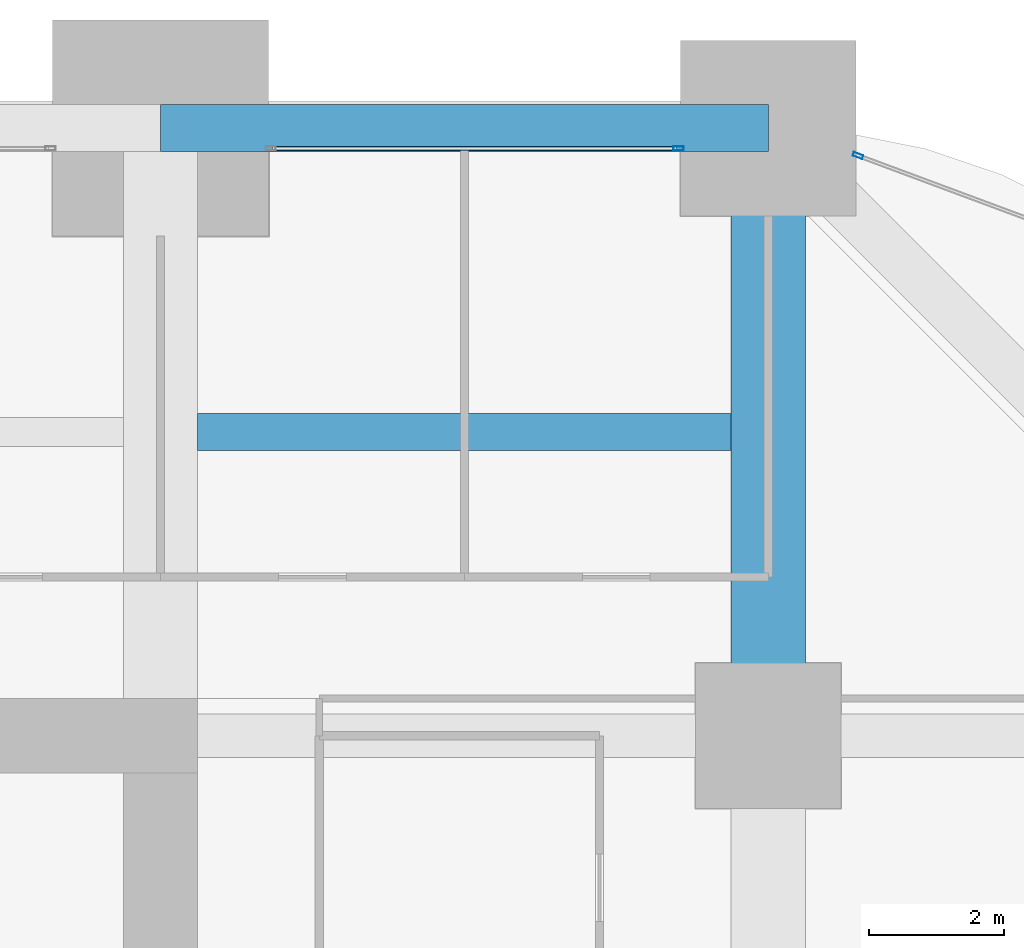
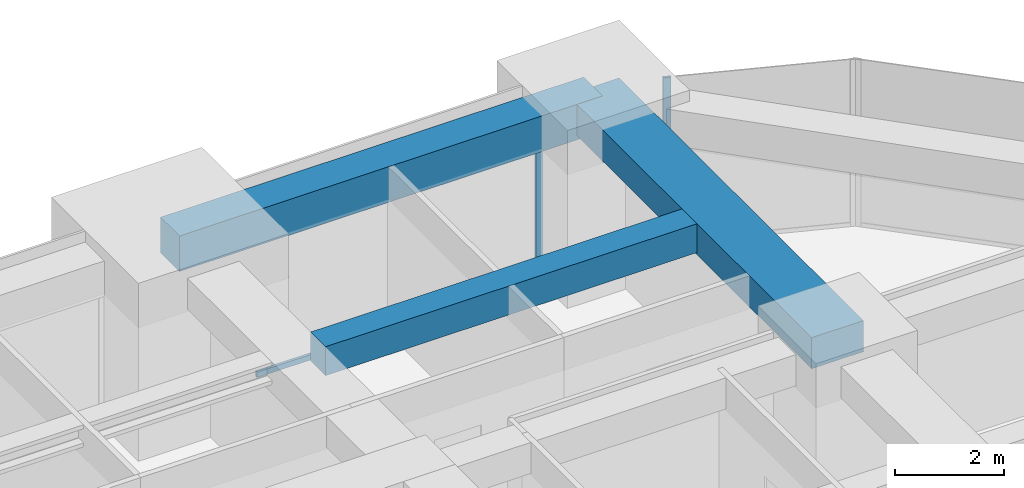
# One storey, part 34 of 41: 3 beams, 3 members, 2 elements without a shape of their own.
"""IFC4 building model written with IfcOpenShell, lengths in metres."""

from ifc_helpers import new_model, si_unit, direction, frame, origin, origin_2d, place, context, subcontext, project, spatial, rectangle, hollow_rectangle, extrude, material, material_profile, profile_set, type_object, element, aggregate, save


model = new_model("IFC4")

# Units and contexts
model_context = context("Model", 3, precision=1e-05, world=origin(), true_north=direction((0.0, 1.0)))
body_context = subcontext(model_context, "Body", "Model", "MODEL_VIEW")
ifc_project = project(units=[si_unit("LENGTHUNIT", "METRE"), si_unit("AREAUNIT", "SQUARE_METRE"), si_unit("VOLUMEUNIT", "CUBIC_METRE"), si_unit("PLANEANGLEUNIT", "RADIAN"), si_unit("MASSUNIT", "GRAM", prefix="KILO")], contexts=[model_context])

# Site, building, storey
site_placement = place(None, origin())
site = spatial("IfcSite", under=ifc_project, at=site_placement, CompositionType="ELEMENT")
building_placement = place(site_placement, origin())
building = spatial("IfcBuilding", under=site, at=building_placement, Name="Zorevar Civic Tower", CompositionType="ELEMENT")
storey_placement = place(building_placement, frame((0.0, 0.0, 89.0)))
storey = spatial("IfcBuildingStorey", under=building, at=storey_placement, Name="L21", CompositionType="ELEMENT", Elevation=89.0)

# Beams
ifc_material_1 = material(Name="Concrete C50/60", Category="concrete")
ifc_material_profile_1 = material_profile(ifc_material_1, rectangle(XDim=1.10009765625, YDim=0.699951171875, at=origin_2d()), Name="RC 1100x700")
ifc_profile_set_1 = profile_set([ifc_material_profile_1], Name="Concrete C50/60")
beam_type_1 = type_object("IfcBeamType", Name="Beam RC 1100x700", PredefinedType="BEAM", material=ifc_profile_set_1)
beam_1_placement = place(storey_placement, frame((54.0, 36.0, 3.39990234375), z_axis=(0.0, 1.0, 0.0), x_axis=(-1.0, 0.0, 0.0)))
element("IfcBeam", 1, at=beam_1_placement, inside=storey, type_object=beam_type_1, Name="Girder L22", PredefinedType="BEAM", context=body_context, shape_type="SweptSolid", body=[
    extrude(rectangle(XDim=1.10009765625, YDim=0.699951171875, at=origin_2d()), origin(), (0.0, 0.0, 1.0), 9.0),
])
ifc_material_2 = material(Name="Concrete C50/60", Category="concrete")
ifc_material_profile_2 = material_profile(ifc_material_2, rectangle(XDim=0.550048828125, YDim=0.64990234375, at=origin_2d()), Name="RC 550x650")
ifc_profile_set_2 = profile_set([ifc_material_profile_2], Name="Concrete C50/60")
beam_type_2 = type_object("IfcBeamType", Name="Beam RC 550x650", PredefinedType="BEAM", material=ifc_profile_set_2)
beam_2_placement = place(storey_placement, frame((45.550048828125, 40.5, 3.425048828125), z_axis=(1.0, 0.0, 0.0), x_axis=(0.0, 1.0, 0.0)))
element("IfcBeam", 2, at=beam_2_placement, inside=storey, type_object=beam_type_2, Name="Secondary beam L22", PredefinedType="BEAM", context=body_context, shape_type="SweptSolid", body=[
    extrude(rectangle(XDim=0.550048828125, YDim=0.64990234375, at=origin_2d()), origin(), (0.0, 0.0, 1.0), 7.89990234375),
])

# Curtain wall, member
ifc_material_3 = material(Name="Dark grey solar-control glass in black aluminium frame", Category="aluminium")
curtain_wall_type = type_object("IfcCurtainWallType", Name="Curtain wall CW3 mid zone", PredefinedType="NOTDEFINED", material=ifc_material_3)
curtain_wall_1_placement = place(storey_placement, origin())
curtain_wall_1 = element("IfcCurtainWall", 3, at=curtain_wall_1_placement, inside=storey, type_object=curtain_wall_type, Name="CW3 L21", PredefinedType="NOTDEFINED")
ifc_material_4 = material(Name="Aluminium, black anodised", Category="aluminium")
ifc_material_profile_3 = material_profile(ifc_material_4, hollow_rectangle(XDim=0.06005859375, YDim=0.14990234375, WallThickness=0.00390625, at=origin_2d()), Name="AL 150x60x4")
ifc_profile_set_3 = profile_set([ifc_material_profile_3], Name="Aluminium, black anodised")
member_type_1 = type_object("IfcMemberType", Name="CW3 mullion AL 150x60x4", PredefinedType="MULLION", material=ifc_profile_set_3)
member_1_placement = place(storey_placement, frame((52.669921875, 44.699951171875, 0.0), z_axis=(0.0, 0.0, 1.0), x_axis=(0.0, 1.0, 0.0)))
member_1 = element("IfcMember", 4, at=member_1_placement, type_object=member_type_1, Name="CW3 mullion 2", PredefinedType="MULLION", context=body_context, shape_type="SweptSolid", body=[
    extrude(hollow_rectangle(XDim=0.06005859375, YDim=0.14990234375, WallThickness=0.00390625, at=origin_2d()), origin(), (0.0, 0.0, 1.0), 2.949951171875),
])

curtain_wall_2_placement = place(storey_placement, origin())
curtain_wall_2 = element("IfcCurtainWall", 5, at=curtain_wall_2_placement, inside=storey, type_object=curtain_wall_type, Name="CW3 L21", PredefinedType="NOTDEFINED")
member_2_placement = place(storey_placement, frame((55.328125, 44.591796875, 0.0), z_axis=(0.0, 0.0, 1.0), x_axis=(-0.348499699061, -0.937308892391, 0.0)))
member_2 = element("IfcMember", 6, at=member_2_placement, type_object=member_type_1, Name="CW3 mullion 2", PredefinedType="MULLION", context=body_context, shape_type="SweptSolid", body=[
    extrude(hollow_rectangle(XDim=0.06005859375, YDim=0.14990234375, WallThickness=0.00390625, at=origin_2d()), origin(), (0.0, 0.0, 1.0), 3.75),
])
aggregate(curtain_wall_2, [member_2])

# Member
ifc_material_5 = material(Name="Aluminium, black anodised", Category="aluminium")
ifc_material_profile_4 = material_profile(ifc_material_5, hollow_rectangle(XDim=0.06005859375, YDim=0.1201171875, WallThickness=0.0029296875, at=origin_2d()), Name="AL 120x60x3")
ifc_profile_set_4 = profile_set([ifc_material_profile_4], Name="Aluminium, black anodised")
member_type_2 = type_object("IfcMemberType", Name="CW3 transom AL 120x60x3", PredefinedType="USERDEFINED", material=ifc_profile_set_4)
member_3_placement = place(storey_placement, frame((46.659912109375, 44.699951171875, 0.030029296875), z_axis=(1.0, 0.0, 0.0), x_axis=(0.0, 1.0, 0.0)))
member_3 = element("IfcMember", 7, at=member_3_placement, type_object=member_type_2, Name="CW3 sill transom", ObjectType="TRANSOM", PredefinedType="USERDEFINED", context=body_context, shape_type="SweptSolid", body=[
    extrude(hollow_rectangle(XDim=0.06005859375, YDim=0.1201171875, WallThickness=0.0029296875, at=origin_2d()), origin(), (0.0, 0.0, 1.0), 5.97998046875),
])

aggregate(curtain_wall_1, [member_1, member_3])

# Beam
ifc_material_6 = material(Name="Concrete C50/60", Category="concrete")
ifc_material_profile_5 = material_profile(ifc_material_6, rectangle(XDim=0.699951171875, YDim=0.800048828125, at=origin_2d()), Name="RC 700x800")
ifc_profile_set_5 = profile_set([ifc_material_profile_5], Name="Concrete C50/60")
beam_type_3 = type_object("IfcBeamType", Name="Edge beam RC 700x800", PredefinedType="SPANDREL", material=ifc_profile_set_5)
beam_3_placement = place(storey_placement, frame((45.0, 45.0, 3.35009765625), z_axis=(1.0, 0.0, 0.0), x_axis=(0.0, 1.0, 0.0)))
element("IfcBeam", 8, at=beam_3_placement, inside=storey, type_object=beam_type_3, Name="Edge beam L22", PredefinedType="SPANDREL", context=body_context, shape_type="SweptSolid", body=[
    extrude(rectangle(XDim=0.699951171875, YDim=0.800048828125, at=origin_2d()), origin(), (0.0, 0.0, 1.0), 9.0),
])

save(model, "model.ifc")
